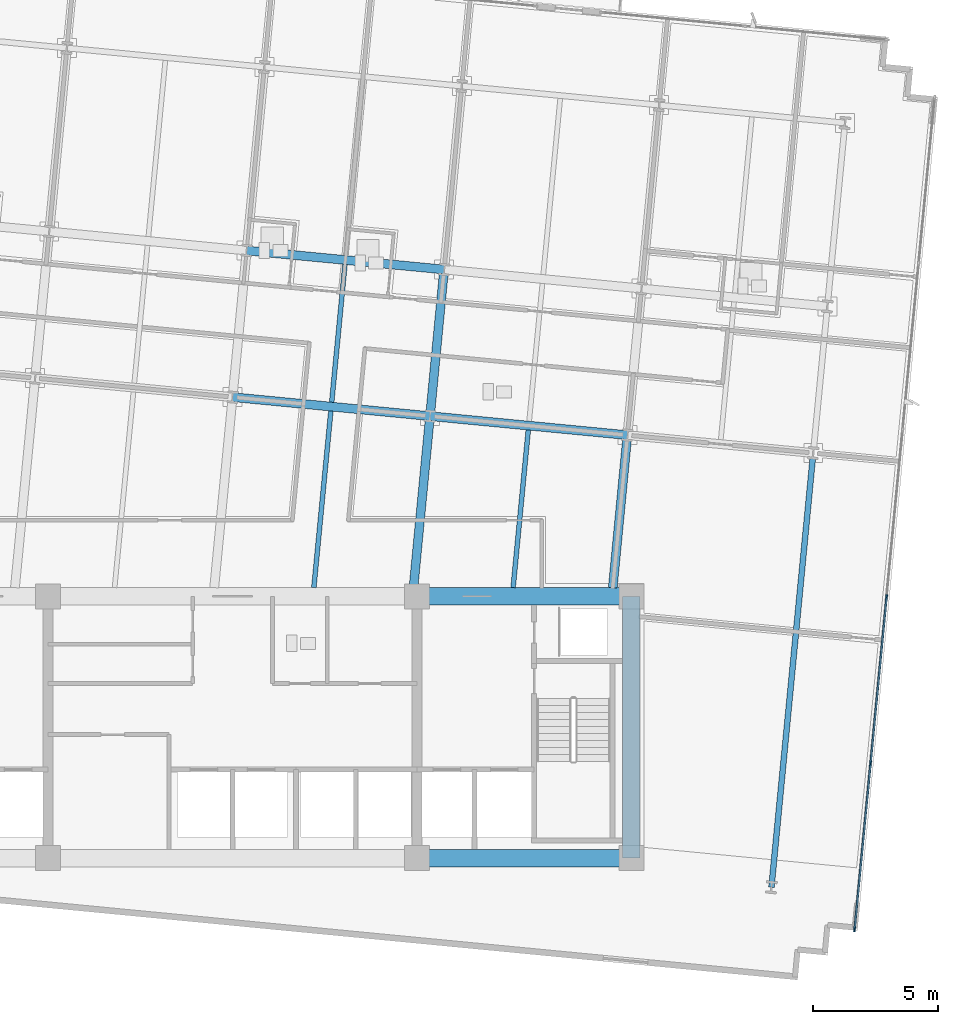
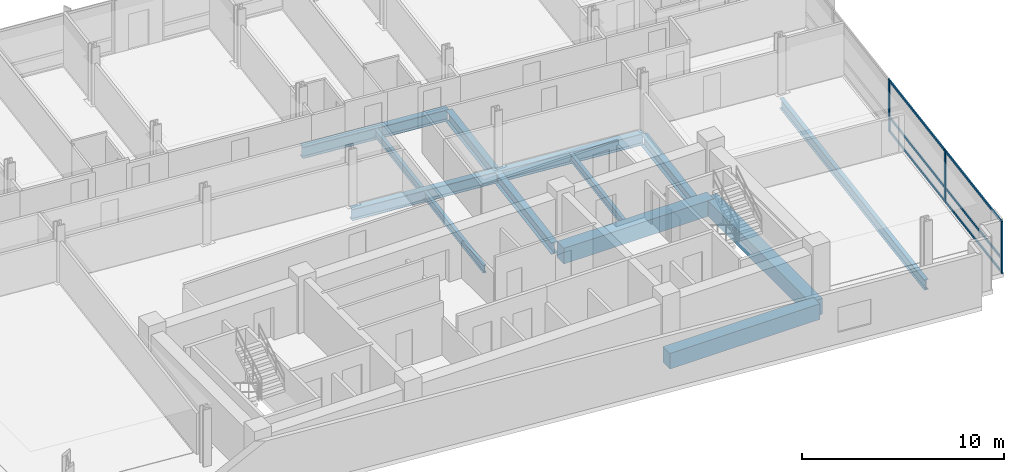
# One storey, part 5 of 17: 13 beams, 9 members, 1 element without a shape of its own.
"""IFC4 building model written with IfcOpenShell, lengths in metres."""

from ifc_helpers import new_model, si_unit, direction, frame, origin, origin_2d, place, context, subcontext, project, spatial, rectangle, i_section, extrude, material, material_profile, profile_set, type_object, element, aggregate, save


model = new_model("IFC4")

# Units and contexts
model_context = context("Model", 3, precision=1e-05, world=origin(), true_north=direction((0.0, 1.0)))
body_context = subcontext(model_context, "Body", "Model", "MODEL_VIEW")
ifc_project = project(units=[si_unit("LENGTHUNIT", "METRE"), si_unit("AREAUNIT", "SQUARE_METRE"), si_unit("VOLUMEUNIT", "CUBIC_METRE"), si_unit("PLANEANGLEUNIT", "RADIAN"), si_unit("MASSUNIT", "GRAM", prefix="KILO")], contexts=[model_context])

# Site, building, storey
site_placement = place(None, origin())
site = spatial("IfcSite", under=ifc_project, at=site_placement, CompositionType="ELEMENT")
building_placement = place(site_placement, origin())
building = spatial("IfcBuilding", under=site, at=building_placement, Name="Solmavex Isthmus Hotel", CompositionType="ELEMENT")
storey_placement = place(building_placement, frame((0.0, 0.0, 173.85009765625)))
storey = spatial("IfcBuildingStorey", under=building, at=storey_placement, Name="L47", CompositionType="ELEMENT", Elevation=173.85009765625)

# Beams
ifc_material_1 = material(Name="Steel ASTM A992 Grade 50", Category="steel")
ifc_material_profile_1 = material_profile(ifc_material_1, i_section(OverallWidth=0.354736328125, OverallDepth=0.695556640625, WebThickness=0.015380859375, FlangeThickness=0.02490234375, FilletRadius=0.017822265625, at=origin_2d()), Name="W27X146")
ifc_profile_set_1 = profile_set([ifc_material_profile_1], Name="Steel ASTM A992 Grade 50")
beam_type_1 = type_object("IfcBeamType", Name="BM-BG-W27X146", PredefinedType="BEAM", material=ifc_profile_set_1)
for number, where, z_axis, x_axis, name in (
    (1, (0.001220703125, 5.490234375, -0.60791015625), (0.995397440011, -0.095832856685, 0.0), (0.095832856685, 0.995397440011, 0.0), "Floor Girder L47-UG06"),
    (2, (7.920654296875, 4.727783203125, -0.60791015625), (0.995397440011, -0.095832856685, 0.0), (0.095832856685, 0.995397440011, 0.0), "Floor Girder L47-UG07"),
):
    element("IfcBeam", number, at=place(storey_placement, frame(where, z_axis=z_axis, x_axis=x_axis)), inside=storey, type_object=beam_type_1, Name=name, PredefinedType="BEAM", context=body_context, shape_type="SweptSolid", body=[
        extrude(i_section(OverallWidth=0.354736328125, OverallDepth=0.695556640625, WebThickness=0.015380859375, FlangeThickness=0.02490234375, FilletRadius=0.017822265625, at=origin_2d()), origin(), (0.0, 0.0, 1.0), 7.9560546875),
    ])
beam_1_placement = place(storey_placement, frame((0.567626953125, 11.37109375, -0.60791015625), z_axis=(0.995397158178, -0.095835783981, 0.0), x_axis=(0.095835783981, 0.995397158178, 0.0)))
element("IfcBeam", 3, at=beam_1_placement, inside=storey, type_object=beam_type_1, Name="Floor Girder L47-UG12", PredefinedType="BEAM", context=body_context, shape_type="SweptSolid", body=[
    extrude(i_section(OverallWidth=0.354736328125, OverallDepth=0.695556640625, WebThickness=0.015380859375, FlangeThickness=0.02490234375, FilletRadius=0.017822265625, at=origin_2d()), origin(), (0.0, 0.0, 1.0), 7.955810546875),
])
beam_2_placement = place(storey_placement, frame((7.25830078125, -2.14990234375, -0.60791015625), z_axis=(0.095847843924, 0.995395996986, 0.0), x_axis=(-0.995395996986, 0.095847843924, 0.0)))
element("IfcBeam", 4, at=beam_2_placement, inside=storey, type_object=beam_type_1, Name="Floor Beam L47-VG33", PredefinedType="BEAM", context=body_context, shape_type="SweptSolid", body=[
    extrude(i_section(OverallWidth=0.354736328125, OverallDepth=0.695556640625, WebThickness=0.015380859375, FlangeThickness=0.02490234375, FilletRadius=0.017822265625, at=origin_2d()), origin(), (0.0, 0.0, 1.0), 6.732177734375),
])
beam_3_placement = place(storey_placement, frame((7.937744140625, 4.904296875, -0.60791015625), z_axis=(0.095842252862, 0.99539653534, 0.0), x_axis=(-0.99539653534, 0.095842252862, 0.0)))
element("IfcBeam", 5, at=beam_3_placement, inside=storey, type_object=beam_type_1, Name="Floor Beam L47-VG34", PredefinedType="BEAM", context=body_context, shape_type="SweptSolid", body=[
    extrude(i_section(OverallWidth=0.354736328125, OverallDepth=0.695556640625, WebThickness=0.015380859375, FlangeThickness=0.02490234375, FilletRadius=0.017822265625, at=origin_2d()), origin(), (0.0, 0.0, 1.0), 5.55322265625),
])
beam_4_placement = place(storey_placement, frame((15.251220703125, -2.14990234375, -0.60791015625), z_axis=(0.095840286514, 0.995396724669, 0.0), x_axis=(-0.995396724669, 0.095840286514, 0.0)))
element("IfcBeam", 6, at=beam_4_placement, inside=storey, type_object=beam_type_1, Name="Floor Beam L47-VG36", PredefinedType="BEAM", context=body_context, shape_type="SweptSolid", body=[
    extrude(i_section(OverallWidth=0.354736328125, OverallDepth=0.695556640625, WebThickness=0.015380859375, FlangeThickness=0.02490234375, FilletRadius=0.017822265625, at=origin_2d()), origin(), (0.0, 0.0, 1.0), 5.9658203125),
])
ifc_material_profile_2 = material_profile(ifc_material_1, i_section(OverallWidth=0.1904296875, OverallDepth=0.456787109375, WebThickness=0.009033203125, FlangeThickness=0.014404296875, FilletRadius=0.0126953125, at=origin_2d()), Name="W18X50")
ifc_profile_set_2 = profile_set([ifc_material_profile_2], Name="Steel ASTM A992 Grade 50")
beam_type_2 = type_object("IfcBeamType", Name="BM-BJ-W18X50", PredefinedType="JOIST", material=ifc_profile_set_2)
beam_5_placement = place(storey_placement, frame((3.261962890625, -2.14990234375, -0.488525390625), z_axis=(0.095837287001, 0.995397013468, 0.0), x_axis=(-0.995397013468, 0.095837287001, 0.0)))
element("IfcBeam", 7, at=beam_5_placement, inside=storey, type_object=beam_type_2, Name="Secondary Floor Joist L47-J10", PredefinedType="JOIST", context=body_context, shape_type="SweptSolid", body=[
    extrude(i_section(OverallWidth=0.1904296875, OverallDepth=0.456787109375, WebThickness=0.009033203125, FlangeThickness=0.014404296875, FilletRadius=0.0126953125, at=origin_2d()), origin(), (0.0, 0.0, 1.0), 7.114990234375),
])
beam_6_placement = place(storey_placement, frame((3.97802734375, 5.28564453125, -0.488525390625), z_axis=(0.095842252862, 0.99539653534, 0.0), x_axis=(-0.99539653534, 0.095842252862, 0.0)))
element("IfcBeam", 8, at=beam_6_placement, inside=storey, type_object=beam_type_2, Name="Secondary Floor Joist L47-J11", PredefinedType="JOIST", context=body_context, shape_type="SweptSolid", body=[
    extrude(i_section(OverallWidth=0.1904296875, OverallDepth=0.456787109375, WebThickness=0.009033203125, FlangeThickness=0.014404296875, FilletRadius=0.0126953125, at=origin_2d()), origin(), (0.0, 0.0, 1.0), 5.55322265625),
])
beam_7_placement = place(storey_placement, frame((11.2548828125, -2.14990234375, -0.488525390625), z_axis=(0.095825243261, 0.995398172971, 0.0), x_axis=(-0.995398172971, 0.095825243261, 0.0)))
element("IfcBeam", 9, at=beam_7_placement, inside=storey, type_object=beam_type_2, Name="Secondary Floor Joist L47-J13", PredefinedType="JOIST", context=body_context, shape_type="SweptSolid", body=[
    extrude(i_section(OverallWidth=0.1904296875, OverallDepth=0.456787109375, WebThickness=0.009033203125, FlangeThickness=0.014404296875, FilletRadius=0.0126953125, at=origin_2d()), origin(), (0.0, 0.0, 1.0), 6.34912109375),
])
ifc_material_2 = material(Name="Concrete C60/75", Category="concrete")
ifc_material_profile_3 = material_profile(ifc_material_2, rectangle(XDim=0.699951171875, YDim=0.949951171875, at=origin_2d()), Name="RC700X950")
ifc_profile_set_3 = profile_set([ifc_material_profile_3], Name="Concrete C60/75")
beam_type_3 = type_object("IfcBeamType", Name="BM-CB-700X950", PredefinedType="BEAM", material=ifc_profile_set_3)
for number, where, z_axis, x_axis, name in (
    (10, (7.39990234375, -13.0, -0.735107421875), (1.0, 0.0, 0.0), (0.0, 1.0, 0.0), "Core Coupling Beam L47-CB3"),
    (11, (7.39990234375, -2.5, -0.735107421875), (1.0, 0.0, 0.0), (0.0, 1.0, 0.0), "Core Coupling Beam L47-CB6"),
):
    element("IfcBeam", number, at=place(storey_placement, frame(where, z_axis=z_axis, x_axis=x_axis)), inside=storey, type_object=beam_type_3, Name=name, PredefinedType="BEAM", context=body_context, shape_type="SweptSolid", body=[
        extrude(rectangle(XDim=0.699951171875, YDim=0.949951171875, at=origin_2d()), origin(), (0.0, 0.0, 1.0), 8.60009765625),
    ])
beam_8_placement = place(storey_placement, frame((16.0, -13.0, -0.735107421875), z_axis=(0.0, 1.0, 0.0), x_axis=(-1.0, 0.0, 0.0)))
element("IfcBeam", 12, at=beam_8_placement, inside=storey, type_object=beam_type_3, Name="Core Coupling Beam L47-CB8", PredefinedType="BEAM", context=body_context, shape_type="SweptSolid", body=[
    extrude(rectangle(XDim=0.699951171875, YDim=0.949951171875, at=origin_2d()), origin(), (0.0, 0.0, 1.0), 10.5),
])
ifc_material_profile_4 = material_profile(ifc_material_1, i_section(OverallWidth=0.230224609375, OverallDepth=0.617431640625, WebThickness=0.01318359375, FlangeThickness=0.022216796875, FilletRadius=0.01513671875, at=origin_2d()), Name="W24X94")
ifc_profile_set_4 = profile_set([ifc_material_profile_4], Name="Steel ASTM A992 Grade 50")
beam_type_4 = type_object("IfcBeamType", Name="BM-SP-W24X94", PredefinedType="SPANDREL", material=ifc_profile_set_4)
beam_9_placement = place(storey_placement, frame((21.6162109375, -14.171875, -0.56884765625), z_axis=(0.095851245948, 0.995395669395, 0.0), x_axis=(-0.995395669395, 0.095851245948, 0.0)))
element("IfcBeam", 13, at=beam_9_placement, inside=storey, type_object=beam_type_4, Name="Floor Beam L47-VG39", PredefinedType="SPANDREL", context=body_context, shape_type="SweptSolid", body=[
    extrude(i_section(OverallWidth=0.230224609375, OverallDepth=0.617431640625, WebThickness=0.01318359375, FlangeThickness=0.022216796875, FilletRadius=0.01513671875, at=origin_2d()), origin(), (0.0, 0.0, 1.0), 17.32275390625),
])

# Curtain wall, members
ifc_material_3 = material(Name="Aluminium alloy 6063-T6", Category="aluminium")
curtain_wall_type = type_object("IfcCurtainWallType", Name="CW-SYS-03", PredefinedType="NOTDEFINED", material=ifc_material_3)
curtain_wall_placement = place(storey_placement, origin())
curtain_wall = element("IfcCurtainWall", 14, at=curtain_wall_placement, inside=storey, type_object=curtain_wall_type, Name="Stick Curtain Wall CWL-L47-E1", PredefinedType="NOTDEFINED")
ifc_material_profile_5 = material_profile(ifc_material_3, rectangle(XDim=0.070068359375, YDim=0.179931640625, at=origin_2d()), Name="CWM-70X180")
ifc_profile_set_5 = profile_set([ifc_material_profile_5], Name="Aluminium alloy 6063-T6")
member_type_1 = type_object("IfcMemberType", Name="CW-SYS-03-MUL", PredefinedType="MULLION", material=ifc_profile_set_5)
member_1_placement = place(storey_placement, frame((24.949462890625, -15.8642578125, 0.0), z_axis=(0.0, 0.0, 1.0), x_axis=(-0.995396190038, 0.09584583902, 0.0)))
member_1 = element("IfcMember", 15, at=member_1_placement, type_object=member_type_1, Name="CW-03 mullion 1", PredefinedType="MULLION", context=body_context, shape_type="SweptSolid", body=[
    extrude(rectangle(XDim=0.070068359375, YDim=0.179931640625, at=origin_2d()), origin(), (0.0, 0.0, 1.0), 3.18994140625),
])
member_2_placement = place(storey_placement, frame((25.590087890625, -9.2099609375, 0.0), z_axis=(0.0, 0.0, 1.0), x_axis=(-0.995396190038, 0.09584583902, 0.0)))
member_2 = element("IfcMember", 16, at=member_2_placement, type_object=member_type_1, Name="CW-03 mullion 2", PredefinedType="MULLION", context=body_context, shape_type="SweptSolid", body=[
    extrude(rectangle(XDim=0.070068359375, YDim=0.179931640625, at=origin_2d()), origin(), (0.0, 0.0, 1.0), 3.18994140625),
])
member_3_placement = place(storey_placement, frame((26.234130859375, -2.520751953125, 0.0), z_axis=(0.0, 0.0, 1.0), x_axis=(-0.995396190038, 0.09584583902, 0.0)))
member_3 = element("IfcMember", 17, at=member_3_placement, type_object=member_type_1, Name="CW-03 mullion 3", PredefinedType="MULLION", context=body_context, shape_type="SweptSolid", body=[
    extrude(rectangle(XDim=0.070068359375, YDim=0.179931640625, at=origin_2d()), origin(), (0.0, 0.0, 1.0), 3.18994140625),
])
ifc_material_profile_6 = material_profile(ifc_material_3, rectangle(XDim=0.070068359375, YDim=0.139892578125, at=origin_2d()), Name="CWT-70X140")
ifc_profile_set_6 = profile_set([ifc_material_profile_6], Name="Aluminium alloy 6063-T6")
member_type_2 = type_object("IfcMemberType", Name="CW-SYS-03-TRN", PredefinedType="USERDEFINED", material=ifc_profile_set_6)
member_4_placement = place(storey_placement, frame((24.95263671875, -15.829345703125, 0.06982421875), z_axis=(0.095848837806, 0.995395901283, 0.0), x_axis=(-0.995395901283, 0.095848837806, 0.0)))
member_4 = element("IfcMember", 18, at=member_4_placement, type_object=member_type_2, Name="CW-03 transom 1.1", ObjectType="TRANSOM", PredefinedType="USERDEFINED", context=body_context, shape_type="SweptSolid", body=[
    extrude(rectangle(XDim=0.070068359375, YDim=0.139892578125, at=origin_2d()), origin(), (0.0, 0.0, 1.0), 6.614990234375),
])
member_5_placement = place(storey_placement, frame((24.95263671875, -15.829345703125, 0.89990234375), z_axis=(0.095848837806, 0.995395901283, 0.0), x_axis=(-0.995395901283, 0.095848837806, 0.0)))
member_5 = element("IfcMember", 19, at=member_5_placement, type_object=member_type_2, Name="CW-03 transom 1.2", ObjectType="TRANSOM", PredefinedType="USERDEFINED", context=body_context, shape_type="SweptSolid", body=[
    extrude(rectangle(XDim=0.070068359375, YDim=0.139892578125, at=origin_2d()), origin(), (0.0, 0.0, 1.0), 6.614990234375),
])
member_6_placement = place(storey_placement, frame((24.95263671875, -15.829345703125, 3.119873046875), z_axis=(0.095848837806, 0.995395901283, 0.0), x_axis=(-0.995395901283, 0.095848837806, 0.0)))
member_6 = element("IfcMember", 20, at=member_6_placement, type_object=member_type_2, Name="CW-03 transom 1.3", ObjectType="TRANSOM", PredefinedType="USERDEFINED", context=body_context, shape_type="SweptSolid", body=[
    extrude(rectangle(XDim=0.070068359375, YDim=0.139892578125, at=origin_2d()), origin(), (0.0, 0.0, 1.0), 6.614990234375),
])
member_7_placement = place(storey_placement, frame((25.593505859375, -9.175048828125, 0.06982421875), z_axis=(0.095857212138, 0.995395094865, 0.0), x_axis=(-0.995395094865, 0.095857212138, 0.0)))
member_7 = element("IfcMember", 21, at=member_7_placement, type_object=member_type_2, Name="CW-03 transom 2.1", ObjectType="TRANSOM", PredefinedType="USERDEFINED", context=body_context, shape_type="SweptSolid", body=[
    extrude(rectangle(XDim=0.070068359375, YDim=0.139892578125, at=origin_2d()), origin(), (0.0, 0.0, 1.0), 6.64990234375),
])
member_8_placement = place(storey_placement, frame((25.593505859375, -9.175048828125, 0.89990234375), z_axis=(0.095857212138, 0.995395094865, 0.0), x_axis=(-0.995395094865, 0.095857212138, 0.0)))
member_8 = element("IfcMember", 22, at=member_8_placement, type_object=member_type_2, Name="CW-03 transom 2.2", ObjectType="TRANSOM", PredefinedType="USERDEFINED", context=body_context, shape_type="SweptSolid", body=[
    extrude(rectangle(XDim=0.070068359375, YDim=0.139892578125, at=origin_2d()), origin(), (0.0, 0.0, 1.0), 6.64990234375),
])
member_9_placement = place(storey_placement, frame((25.593505859375, -9.175048828125, 3.119873046875), z_axis=(0.095857212138, 0.995395094865, 0.0), x_axis=(-0.995395094865, 0.095857212138, 0.0)))
member_9 = element("IfcMember", 23, at=member_9_placement, type_object=member_type_2, Name="CW-03 transom 2.3", ObjectType="TRANSOM", PredefinedType="USERDEFINED", context=body_context, shape_type="SweptSolid", body=[
    extrude(rectangle(XDim=0.070068359375, YDim=0.139892578125, at=origin_2d()), origin(), (0.0, 0.0, 1.0), 6.64990234375),
])
aggregate(curtain_wall, [member_1, member_2, member_3, member_4, member_5, member_6, member_7, member_8, member_9])

save(model, "model.ifc")
